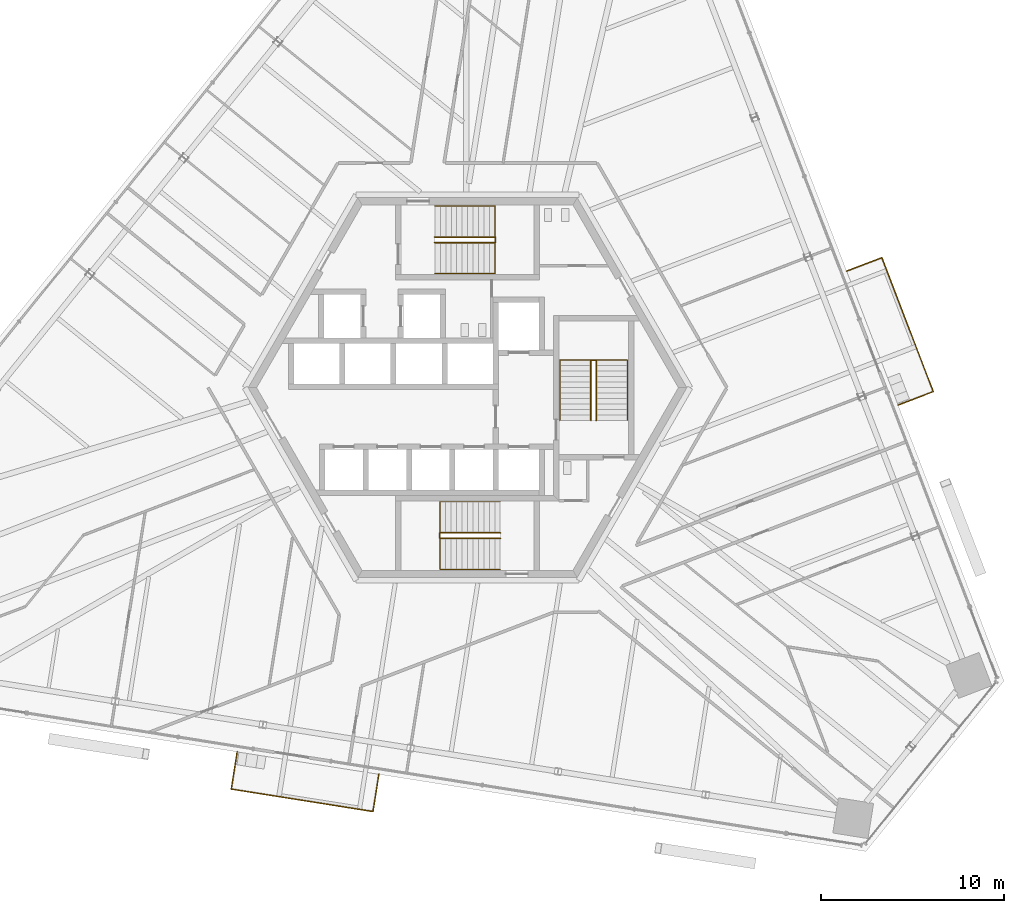
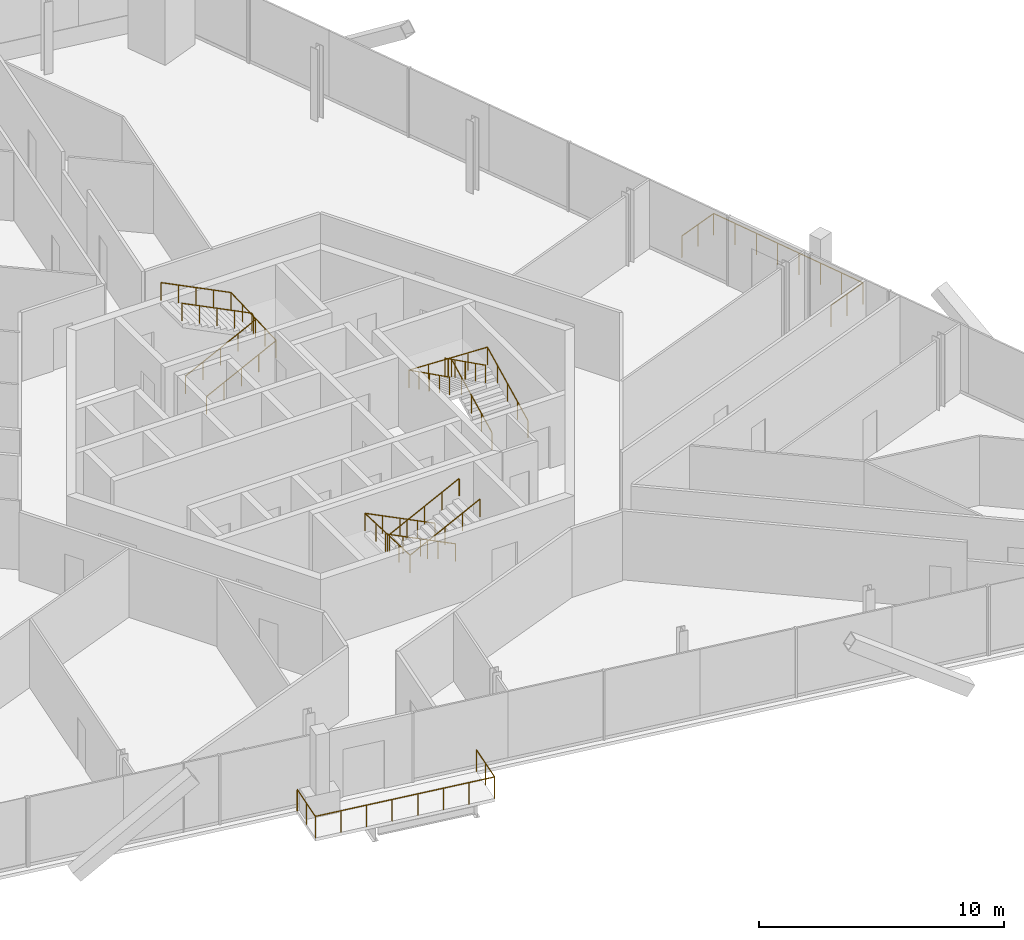
# One storey, part 16 of 19: 8 railings.
"""IFC4 building model written with IfcOpenShell, lengths in metres."""

from ifc_helpers import new_model, si_unit, direction, frame, origin, origin_2d, place, context, subcontext, project, spatial, circle, extrude, source, transform, mapped, material, type_object, element, save


model = new_model("IFC4")

# Units and contexts
model_context = context("Model", 3, precision=1e-05, world=origin(), true_north=direction((0.0, 1.0)))
body_context = subcontext(model_context, "Body", "Model", "MODEL_VIEW")
ifc_project = project(units=[si_unit("LENGTHUNIT", "METRE"), si_unit("AREAUNIT", "SQUARE_METRE"), si_unit("VOLUMEUNIT", "CUBIC_METRE"), si_unit("PLANEANGLEUNIT", "RADIAN"), si_unit("MASSUNIT", "GRAM", prefix="KILO")], contexts=[model_context])

# Site, building, storey
site_placement = place(None, origin())
site = spatial("IfcSite", under=ifc_project, at=site_placement, CompositionType="ELEMENT")
building_placement = place(site_placement, origin())
building = spatial("IfcBuilding", under=site, at=building_placement, Name="Triune Harvest Tower", CompositionType="ELEMENT")
storey_placement = place(building_placement, frame((0.0, 0.0, 142.5)))
storey = spatial("IfcBuildingStorey", under=building, at=storey_placement, Name="L36", CompositionType="ELEMENT", Elevation=142.5)

# Railings
ifc_material_1 = material(Name="Glass", Category="glass")
railing_type_1 = type_object("IfcRailingType", Name="GD-2 balcony guard 1100", PredefinedType="GUARDRAIL", material=ifc_material_1)
railing_1_placement = place(storey_placement, frame((23.556884765625, -0.952880859375, 0.0)))
element("IfcRailing", 1, at=railing_1_placement, inside=storey, type_object=railing_type_1, Name="Balcony guard B4-F1 L36.5", PredefinedType="GUARDRAIL", context=body_context, shape_type="SweptSolid", body=[
    extrude(circle(Radius=0.02392578125, at=origin_2d()), frame((0.0, 0.0, 1.076171875), z_axis=(0.933604848327, 0.358304322023, 0.0), x_axis=(-0.358304322023, 0.933604848327, 0.0)), (0.0, 0.0, 1.0), 2.061279296875),
    extrude(circle(Radius=0.02392578125, at=origin_2d()), frame((1.92431640625, 0.738525390625, 1.076171875), z_axis=(-0.358370618387, 0.93357940202, 0.0), x_axis=(-0.93357940202, -0.358370618387, 0.0)), (0.0, 0.0, 1.0), 7.85205078125),
    extrude(circle(Radius=0.02392578125, at=origin_2d()), frame((-0.8896484375, 8.069091796875, 1.076171875), z_axis=(-0.933604848327, -0.358304322023, 0.0), x_axis=(0.358304322023, -0.933604848327, 0.0)), (0.0, 0.0, 1.0), 2.061279296875),
    extrude(circle(Radius=0.02099609375, at=origin_2d()), origin(), (0.0, 0.0, 1.0), 1.052001953125),
    extrude(circle(Radius=0.02099609375, at=origin_2d()), frame((0.962158203125, 0.369140625, 0.0)), (0.0, 0.0, 1.0), 1.052001953125),
    extrude(circle(Radius=0.02099609375, at=origin_2d()), frame((1.92431640625, 0.738525390625, 0.0)), (0.0, 0.0, 1.0), 1.052001953125),
    extrude(circle(Radius=0.02099609375, at=origin_2d()), frame((1.522216796875, 1.78564453125, 0.0)), (0.0, 0.0, 1.0), 1.052001953125),
    extrude(circle(Radius=0.02099609375, at=origin_2d()), frame((1.120361328125, 2.8330078125, 0.0)), (0.0, 0.0, 1.0), 1.052001953125),
    extrude(circle(Radius=0.02099609375, at=origin_2d()), frame((0.71826171875, 3.880126953125, 0.0)), (0.0, 0.0, 1.0), 1.052001953125),
    extrude(circle(Radius=0.02099609375, at=origin_2d()), frame((0.31640625, 4.927490234375, 0.0)), (0.0, 0.0, 1.0), 1.052001953125),
    extrude(circle(Radius=0.02099609375, at=origin_2d()), frame((-0.085693359375, 5.974609375, 0.0)), (0.0, 0.0, 1.0), 1.052001953125),
    extrude(circle(Radius=0.02099609375, at=origin_2d()), frame((-0.487548828125, 7.02197265625, 0.0)), (0.0, 0.0, 1.0), 1.052001953125),
    extrude(circle(Radius=0.02099609375, at=origin_2d()), frame((-0.8896484375, 8.069091796875, 0.0)), (0.0, 0.0, 1.0), 1.052001953125),
    extrude(circle(Radius=0.02099609375, at=origin_2d()), frame((-1.851806640625, 7.69970703125, 0.0)), (0.0, 0.0, 1.0), 1.052001953125),
    extrude(circle(Radius=0.02099609375, at=origin_2d()), frame((-2.81396484375, 7.33056640625, 0.0)), (0.0, 0.0, 1.0), 1.052001953125),
])
railing_2_placement = place(storey_placement, frame((-12.603759765625, -19.92431640625, 0.0)))
element("IfcRailing", 2, at=railing_2_placement, inside=storey, type_object=railing_type_1, Name="Balcony guard B4-F5 L36.5", PredefinedType="GUARDRAIL", context=body_context, shape_type="SweptSolid", body=[
    extrude(circle(Radius=0.02392578125, at=origin_2d()), frame((0.0, 0.0, 1.076171875), z_axis=(-0.156461288555, -0.987684091794, 0.0), x_axis=(0.987684091794, -0.156461288555, 0.0)), (0.0, 0.0, 1.0), 2.061279296875),
    extrude(circle(Radius=0.02392578125, at=origin_2d()), frame((-0.322509765625, -2.035888671875, 1.076171875), z_axis=(0.987685450951, -0.156452708445, 0.0), x_axis=(0.156452708445, 0.987685450951, 0.0)), (0.0, 0.0, 1.0), 7.852294921875),
    extrude(circle(Radius=0.02392578125, at=origin_2d()), frame((7.43310546875, -3.264404296875, 1.076171875), z_axis=(0.156442987384, 0.987686990751, 0.0), x_axis=(-0.987686990751, 0.156442987384, 0.0)), (0.0, 0.0, 1.0), 2.0615234375),
    extrude(circle(Radius=0.02099609375, at=origin_2d()), origin(), (0.0, 0.0, 1.0), 1.052001953125),
    extrude(circle(Radius=0.02099609375, at=origin_2d()), frame((-0.1611328125, -1.01806640625, 0.0)), (0.0, 0.0, 1.0), 1.052001953125),
    extrude(circle(Radius=0.02099609375, at=origin_2d()), frame((-0.322509765625, -2.035888671875, 0.0)), (0.0, 0.0, 1.0), 1.052001953125),
    extrude(circle(Radius=0.02099609375, at=origin_2d()), frame((0.785400390625, -2.21142578125, 0.0)), (0.0, 0.0, 1.0), 1.052001953125),
    extrude(circle(Radius=0.02099609375, at=origin_2d()), frame((1.893310546875, -2.386962890625, 0.0)), (0.0, 0.0, 1.0), 1.052001953125),
    extrude(circle(Radius=0.02099609375, at=origin_2d()), frame((3.001220703125, -2.5625, 0.0)), (0.0, 0.0, 1.0), 1.052001953125),
    extrude(circle(Radius=0.02099609375, at=origin_2d()), frame((4.109375, -2.73779296875, 0.0)), (0.0, 0.0, 1.0), 1.052001953125),
    extrude(circle(Radius=0.02099609375, at=origin_2d()), frame((5.21728515625, -2.913330078125, 0.0)), (0.0, 0.0, 1.0), 1.052001953125),
    extrude(circle(Radius=0.02099609375, at=origin_2d()), frame((6.3251953125, -3.0888671875, 0.0)), (0.0, 0.0, 1.0), 1.052001953125),
    extrude(circle(Radius=0.02099609375, at=origin_2d()), frame((7.43310546875, -3.264404296875, 0.0)), (0.0, 0.0, 1.0), 1.052001953125),
    extrude(circle(Radius=0.02099609375, at=origin_2d()), frame((7.59423828125, -2.246337890625, 0.0)), (0.0, 0.0, 1.0), 1.052001953125),
    extrude(circle(Radius=0.02099609375, at=origin_2d()), frame((7.755615234375, -1.228271484375, 0.0)), (0.0, 0.0, 1.0), 1.052001953125),
])
ifc_material_2 = material(Name="Stainless steel AISI 316", Category="steel")
railing_type_2 = type_object("IfcRailingType", Name="Stair handrail", PredefinedType="HANDRAIL", material=ifc_material_2)
shared_shape_1 = source(origin(), body_context, "Body", "SweptSolid", [
    extrude(circle(Radius=0.02392578125, at=origin_2d()), frame((0.0, 0.0, 0.8759765625), z_axis=(0.894413956696, 0.0, 0.447240063129), x_axis=(0.0, 1.0, 0.0)), (0.0, 0.0, 1.0), 3.689697265625),
    extrude(circle(Radius=0.02392578125, at=origin_2d()), frame((3.300048828125, 0.0, 2.52587890625), z_axis=(0.0, 0.999180289278, 0.040481471304), x_axis=(-1.0, 0.0, 0.0)), (0.0, 0.0, 1.0), 3.702880859375),
    extrude(circle(Radius=0.02392578125, at=origin_2d()), frame((3.300048828125, 3.699951171875, 2.67578125), z_axis=(-0.894413956696, 0.0, 0.447240063129), x_axis=(0.0, -1.0, 0.0)), (0.0, 0.0, 1.0), 3.689697265625),
    extrude(circle(Radius=0.02099609375, at=origin_2d()), origin(), (0.0, 0.0, 1.0), 0.851806640625),
    extrude(circle(Radius=0.02099609375, at=origin_2d()), frame((0.824951171875, 0.0, 0.41259765625)), (0.0, 0.0, 1.0), 0.851806640625),
    extrude(circle(Radius=0.02099609375, at=origin_2d()), frame((1.64990234375, 0.0, 0.8251953125)), (0.0, 0.0, 1.0), 0.851806640625),
    extrude(circle(Radius=0.02099609375, at=origin_2d()), frame((2.47509765625, 0.0, 1.237548828125)), (0.0, 0.0, 1.0), 0.851806640625),
    extrude(circle(Radius=0.02099609375, at=origin_2d()), frame((3.300048828125, 0.0, 1.650146484375)), (0.0, 0.0, 1.0), 0.851806640625),
    extrude(circle(Radius=0.02099609375, at=origin_2d()), frame((3.300048828125, 0.925048828125, 1.6875)), (0.0, 0.0, 1.0), 0.851806640625),
    extrude(circle(Radius=0.02099609375, at=origin_2d()), frame((3.300048828125, 1.85009765625, 1.72509765625)), (0.0, 0.0, 1.0), 0.851806640625),
    extrude(circle(Radius=0.02099609375, at=origin_2d()), frame((3.300048828125, 2.77490234375, 1.7626953125)), (0.0, 0.0, 1.0), 0.851806640625),
    extrude(circle(Radius=0.02099609375, at=origin_2d()), frame((3.300048828125, 3.699951171875, 1.800048828125)), (0.0, 0.0, 1.0), 0.851806640625),
    extrude(circle(Radius=0.02099609375, at=origin_2d()), frame((2.47509765625, 3.699951171875, 2.212646484375)), (0.0, 0.0, 1.0), 0.851806640625),
    extrude(circle(Radius=0.02099609375, at=origin_2d()), frame((1.64990234375, 3.699951171875, 2.625)), (0.0, 0.0, 1.0), 0.851806640625),
    extrude(circle(Radius=0.02099609375, at=origin_2d()), frame((0.824951171875, 3.699951171875, 3.03759765625)), (0.0, 0.0, 1.0), 0.851806640625),
    extrude(circle(Radius=0.02099609375, at=origin_2d()), frame((0.0, 3.699951171875, 3.4501953125)), (0.0, 0.0, 1.0), 0.851806640625),
])
railing_3_placement = place(storey_placement, frame((-1.7900390625, 6.239990234375, 0.14990234375)))
element("IfcRailing", 3, at=railing_3_placement, inside=storey, type_object=railing_type_2, Name="Exit stair north wall handrail", PredefinedType="HANDRAIL", context=body_context, shape_type="MappedRepresentation", body=[
    mapped(shared_shape_1, transform((0.0, 0.0, 0.0), scale=1.0)),
])
shared_shape_2 = source(origin(), body_context, "Body", "SweptSolid", [
    extrude(circle(Radius=0.02392578125, at=origin_2d()), frame((0.0, 0.0, 0.8759765625), z_axis=(0.894413956696, 0.0, 0.447240063129), x_axis=(0.0, 1.0, 0.0)), (0.0, 0.0, 1.0), 3.689697265625),
    extrude(circle(Radius=0.02392578125, at=origin_2d()), frame((3.300048828125, 0.0, 2.52587890625), z_axis=(0.0, 0.894572720946, 0.446922417137), x_axis=(-1.0, 0.0, 0.0)), (0.0, 0.0, 1.0), 0.33544921875),
    extrude(circle(Radius=0.02392578125, at=origin_2d()), frame((3.300048828125, 0.300048828125, 2.67578125), z_axis=(-0.894413956696, 0.0, 0.447240063129), x_axis=(0.0, -1.0, 0.0)), (0.0, 0.0, 1.0), 3.689697265625),
    extrude(circle(Radius=0.02099609375, at=origin_2d()), origin(), (0.0, 0.0, 1.0), 0.851806640625),
    extrude(circle(Radius=0.02099609375, at=origin_2d()), frame((0.824951171875, 0.0, 0.41259765625)), (0.0, 0.0, 1.0), 0.851806640625),
    extrude(circle(Radius=0.02099609375, at=origin_2d()), frame((1.64990234375, 0.0, 0.8251953125)), (0.0, 0.0, 1.0), 0.851806640625),
    extrude(circle(Radius=0.02099609375, at=origin_2d()), frame((2.47509765625, 0.0, 1.237548828125)), (0.0, 0.0, 1.0), 0.851806640625),
    extrude(circle(Radius=0.02099609375, at=origin_2d()), frame((3.300048828125, 0.0, 1.650146484375)), (0.0, 0.0, 1.0), 0.851806640625),
    extrude(circle(Radius=0.02099609375, at=origin_2d()), frame((3.300048828125, 0.300048828125, 1.800048828125)), (0.0, 0.0, 1.0), 0.851806640625),
    extrude(circle(Radius=0.02099609375, at=origin_2d()), frame((2.47509765625, 0.300048828125, 2.212646484375)), (0.0, 0.0, 1.0), 0.851806640625),
    extrude(circle(Radius=0.02099609375, at=origin_2d()), frame((1.64990234375, 0.300048828125, 2.625)), (0.0, 0.0, 1.0), 0.851806640625),
    extrude(circle(Radius=0.02099609375, at=origin_2d()), frame((0.824951171875, 0.300048828125, 3.03759765625)), (0.0, 0.0, 1.0), 0.851806640625),
    extrude(circle(Radius=0.02099609375, at=origin_2d()), frame((0.0, 0.300048828125, 3.4501953125)), (0.0, 0.0, 1.0), 0.851806640625),
])
railing_4_placement = place(storey_placement, frame((-1.7900390625, 7.93994140625, 0.14990234375)))
element("IfcRailing", 4, at=railing_4_placement, inside=storey, type_object=railing_type_2, Name="Exit stair north centre handrail", PredefinedType="HANDRAIL", context=body_context, shape_type="MappedRepresentation", body=[
    mapped(shared_shape_2, transform((0.0, 0.0, 0.0), scale=1.0)),
])
shared_shape_3 = source(origin(), body_context, "Body", "SweptSolid", [
    extrude(circle(Radius=0.02392578125, at=origin_2d()), frame((0.0, 0.0, 0.8759765625), z_axis=(-0.894413956696, 0.0, 0.447240063129), x_axis=(0.0, -1.0, 0.0)), (0.0, 0.0, 1.0), 3.689697265625),
    extrude(circle(Radius=0.02392578125, at=origin_2d()), frame((-3.300048828125, 0.0, 2.52587890625), z_axis=(0.0, -0.999180289278, 0.040481471304), x_axis=(1.0, 0.0, 0.0)), (0.0, 0.0, 1.0), 3.702880859375),
    extrude(circle(Radius=0.02392578125, at=origin_2d()), frame((-3.300048828125, -3.699951171875, 2.67578125), z_axis=(0.894413956696, 0.0, 0.447240063129), x_axis=(0.0, 1.0, 0.0)), (0.0, 0.0, 1.0), 3.689697265625),
    extrude(circle(Radius=0.02099609375, at=origin_2d()), origin(), (0.0, 0.0, 1.0), 0.851806640625),
    extrude(circle(Radius=0.02099609375, at=origin_2d()), frame((-0.824951171875, 0.0, 0.41259765625)), (0.0, 0.0, 1.0), 0.851806640625),
    extrude(circle(Radius=0.02099609375, at=origin_2d()), frame((-1.64990234375, 0.0, 0.8251953125)), (0.0, 0.0, 1.0), 0.851806640625),
    extrude(circle(Radius=0.02099609375, at=origin_2d()), frame((-2.47509765625, 0.0, 1.237548828125)), (0.0, 0.0, 1.0), 0.851806640625),
    extrude(circle(Radius=0.02099609375, at=origin_2d()), frame((-3.300048828125, 0.0, 1.650146484375)), (0.0, 0.0, 1.0), 0.851806640625),
    extrude(circle(Radius=0.02099609375, at=origin_2d()), frame((-3.300048828125, -0.925048828125, 1.6875)), (0.0, 0.0, 1.0), 0.851806640625),
    extrude(circle(Radius=0.02099609375, at=origin_2d()), frame((-3.300048828125, -1.85009765625, 1.72509765625)), (0.0, 0.0, 1.0), 0.851806640625),
    extrude(circle(Radius=0.02099609375, at=origin_2d()), frame((-3.300048828125, -2.77490234375, 1.7626953125)), (0.0, 0.0, 1.0), 0.851806640625),
    extrude(circle(Radius=0.02099609375, at=origin_2d()), frame((-3.300048828125, -3.699951171875, 1.800048828125)), (0.0, 0.0, 1.0), 0.851806640625),
    extrude(circle(Radius=0.02099609375, at=origin_2d()), frame((-2.47509765625, -3.699951171875, 2.212646484375)), (0.0, 0.0, 1.0), 0.851806640625),
    extrude(circle(Radius=0.02099609375, at=origin_2d()), frame((-1.64990234375, -3.699951171875, 2.625)), (0.0, 0.0, 1.0), 0.851806640625),
    extrude(circle(Radius=0.02099609375, at=origin_2d()), frame((-0.824951171875, -3.699951171875, 3.03759765625)), (0.0, 0.0, 1.0), 0.851806640625),
    extrude(circle(Radius=0.02099609375, at=origin_2d()), frame((0.0, -3.699951171875, 3.4501953125)), (0.0, 0.0, 1.0), 0.851806640625),
])
railing_5_placement = place(storey_placement, frame((1.7900390625, -6.239990234375, 0.14990234375)))
element("IfcRailing", 5, at=railing_5_placement, inside=storey, type_object=railing_type_2, Name="Exit stair south wall handrail", PredefinedType="HANDRAIL", context=body_context, shape_type="MappedRepresentation", body=[
    mapped(shared_shape_3, transform((0.0, 0.0, 0.0), scale=1.0)),
])
shared_shape_4 = source(origin(), body_context, "Body", "SweptSolid", [
    extrude(circle(Radius=0.02392578125, at=origin_2d()), frame((0.0, 0.0, 0.8759765625), z_axis=(-0.894413956696, 0.0, 0.447240063129), x_axis=(0.0, -1.0, 0.0)), (0.0, 0.0, 1.0), 3.689697265625),
    extrude(circle(Radius=0.02392578125, at=origin_2d()), frame((-3.300048828125, 0.0, 2.52587890625), z_axis=(0.0, -0.894572720946, 0.446922417137), x_axis=(1.0, 0.0, 0.0)), (0.0, 0.0, 1.0), 0.33544921875),
    extrude(circle(Radius=0.02392578125, at=origin_2d()), frame((-3.300048828125, -0.300048828125, 2.67578125), z_axis=(0.894413956696, 0.0, 0.447240063129), x_axis=(0.0, 1.0, 0.0)), (0.0, 0.0, 1.0), 3.689697265625),
    extrude(circle(Radius=0.02099609375, at=origin_2d()), origin(), (0.0, 0.0, 1.0), 0.851806640625),
    extrude(circle(Radius=0.02099609375, at=origin_2d()), frame((-0.824951171875, 0.0, 0.41259765625)), (0.0, 0.0, 1.0), 0.851806640625),
    extrude(circle(Radius=0.02099609375, at=origin_2d()), frame((-1.64990234375, 0.0, 0.8251953125)), (0.0, 0.0, 1.0), 0.851806640625),
    extrude(circle(Radius=0.02099609375, at=origin_2d()), frame((-2.47509765625, 0.0, 1.237548828125)), (0.0, 0.0, 1.0), 0.851806640625),
    extrude(circle(Radius=0.02099609375, at=origin_2d()), frame((-3.300048828125, 0.0, 1.650146484375)), (0.0, 0.0, 1.0), 0.851806640625),
    extrude(circle(Radius=0.02099609375, at=origin_2d()), frame((-3.300048828125, -0.300048828125, 1.800048828125)), (0.0, 0.0, 1.0), 0.851806640625),
    extrude(circle(Radius=0.02099609375, at=origin_2d()), frame((-2.47509765625, -0.300048828125, 2.212646484375)), (0.0, 0.0, 1.0), 0.851806640625),
    extrude(circle(Radius=0.02099609375, at=origin_2d()), frame((-1.64990234375, -0.300048828125, 2.625)), (0.0, 0.0, 1.0), 0.851806640625),
    extrude(circle(Radius=0.02099609375, at=origin_2d()), frame((-0.824951171875, -0.300048828125, 3.03759765625)), (0.0, 0.0, 1.0), 0.851806640625),
    extrude(circle(Radius=0.02099609375, at=origin_2d()), frame((0.0, -0.300048828125, 3.4501953125)), (0.0, 0.0, 1.0), 0.851806640625),
])
railing_6_placement = place(storey_placement, frame((1.7900390625, -7.93994140625, 0.14990234375)))
element("IfcRailing", 6, at=railing_6_placement, inside=storey, type_object=railing_type_2, Name="Exit stair south centre handrail", PredefinedType="HANDRAIL", context=body_context, shape_type="MappedRepresentation", body=[
    mapped(shared_shape_4, transform((0.0, 0.0, 0.0), scale=1.0)),
])
shared_shape_5 = source(origin(), body_context, "Body", "SweptSolid", [
    extrude(circle(Radius=0.02392578125, at=origin_2d()), frame((0.0, 0.0, 0.8759765625), z_axis=(0.0, 0.894413956696, 0.447240063129), x_axis=(-1.0, 0.0, 0.0)), (0.0, 0.0, 1.0), 3.689697265625),
    extrude(circle(Radius=0.02392578125, at=origin_2d()), frame((0.0, 3.300048828125, 2.52587890625), z_axis=(-0.999180289278, 0.0, 0.040481471304), x_axis=(0.0, -1.0, 0.0)), (0.0, 0.0, 1.0), 3.702880859375),
    extrude(circle(Radius=0.02392578125, at=origin_2d()), frame((-3.699951171875, 3.300048828125, 2.67578125), z_axis=(0.0, -0.894413956696, 0.447240063129), x_axis=(1.0, 0.0, 0.0)), (0.0, 0.0, 1.0), 3.689697265625),
    extrude(circle(Radius=0.02099609375, at=origin_2d()), origin(), (0.0, 0.0, 1.0), 0.851806640625),
    extrude(circle(Radius=0.02099609375, at=origin_2d()), frame((0.0, 0.824951171875, 0.41259765625)), (0.0, 0.0, 1.0), 0.851806640625),
    extrude(circle(Radius=0.02099609375, at=origin_2d()), frame((0.0, 1.64990234375, 0.8251953125)), (0.0, 0.0, 1.0), 0.851806640625),
    extrude(circle(Radius=0.02099609375, at=origin_2d()), frame((0.0, 2.47509765625, 1.237548828125)), (0.0, 0.0, 1.0), 0.851806640625),
    extrude(circle(Radius=0.02099609375, at=origin_2d()), frame((0.0, 3.300048828125, 1.650146484375)), (0.0, 0.0, 1.0), 0.851806640625),
    extrude(circle(Radius=0.02099609375, at=origin_2d()), frame((-0.925048828125, 3.300048828125, 1.6875)), (0.0, 0.0, 1.0), 0.851806640625),
    extrude(circle(Radius=0.02099609375, at=origin_2d()), frame((-1.85009765625, 3.300048828125, 1.72509765625)), (0.0, 0.0, 1.0), 0.851806640625),
    extrude(circle(Radius=0.02099609375, at=origin_2d()), frame((-2.77490234375, 3.300048828125, 1.7626953125)), (0.0, 0.0, 1.0), 0.851806640625),
    extrude(circle(Radius=0.02099609375, at=origin_2d()), frame((-3.699951171875, 3.300048828125, 1.800048828125)), (0.0, 0.0, 1.0), 0.851806640625),
    extrude(circle(Radius=0.02099609375, at=origin_2d()), frame((-3.699951171875, 2.47509765625, 2.212646484375)), (0.0, 0.0, 1.0), 0.851806640625),
    extrude(circle(Radius=0.02099609375, at=origin_2d()), frame((-3.699951171875, 1.64990234375, 2.625)), (0.0, 0.0, 1.0), 0.851806640625),
    extrude(circle(Radius=0.02099609375, at=origin_2d()), frame((-3.699951171875, 0.824951171875, 3.03759765625)), (0.0, 0.0, 1.0), 0.851806640625),
    extrude(circle(Radius=0.02099609375, at=origin_2d()), frame((-3.699951171875, 0.0, 3.4501953125)), (0.0, 0.0, 1.0), 0.851806640625),
])
railing_7_placement = place(storey_placement, frame((8.75, -1.7900390625, 0.14990234375)))
element("IfcRailing", 7, at=railing_7_placement, inside=storey, type_object=railing_type_2, Name="Exit stair east wall handrail", PredefinedType="HANDRAIL", context=body_context, shape_type="MappedRepresentation", body=[
    mapped(shared_shape_5, transform((0.0, 0.0, 0.0), scale=1.0)),
])
shared_shape_6 = source(origin(), body_context, "Body", "SweptSolid", [
    extrude(circle(Radius=0.02392578125, at=origin_2d()), frame((0.0, 0.0, 0.8759765625), z_axis=(0.0, 0.894413956696, 0.447240063129), x_axis=(-1.0, 0.0, 0.0)), (0.0, 0.0, 1.0), 3.689697265625),
    extrude(circle(Radius=0.02392578125, at=origin_2d()), frame((0.0, 3.300048828125, 2.52587890625), z_axis=(-0.894572720946, 0.0, 0.446922417137), x_axis=(0.0, -1.0, 0.0)), (0.0, 0.0, 1.0), 0.33544921875),
    extrude(circle(Radius=0.02392578125, at=origin_2d()), frame((-0.300048828125, 3.300048828125, 2.67578125), z_axis=(0.0, -0.894413956696, 0.447240063129), x_axis=(1.0, 0.0, 0.0)), (0.0, 0.0, 1.0), 3.689697265625),
    extrude(circle(Radius=0.02099609375, at=origin_2d()), origin(), (0.0, 0.0, 1.0), 0.851806640625),
    extrude(circle(Radius=0.02099609375, at=origin_2d()), frame((0.0, 0.824951171875, 0.41259765625)), (0.0, 0.0, 1.0), 0.851806640625),
    extrude(circle(Radius=0.02099609375, at=origin_2d()), frame((0.0, 1.64990234375, 0.8251953125)), (0.0, 0.0, 1.0), 0.851806640625),
    extrude(circle(Radius=0.02099609375, at=origin_2d()), frame((0.0, 2.47509765625, 1.237548828125)), (0.0, 0.0, 1.0), 0.851806640625),
    extrude(circle(Radius=0.02099609375, at=origin_2d()), frame((0.0, 3.300048828125, 1.650146484375)), (0.0, 0.0, 1.0), 0.851806640625),
    extrude(circle(Radius=0.02099609375, at=origin_2d()), frame((-0.300048828125, 3.300048828125, 1.800048828125)), (0.0, 0.0, 1.0), 0.851806640625),
    extrude(circle(Radius=0.02099609375, at=origin_2d()), frame((-0.300048828125, 2.47509765625, 2.212646484375)), (0.0, 0.0, 1.0), 0.851806640625),
    extrude(circle(Radius=0.02099609375, at=origin_2d()), frame((-0.300048828125, 1.64990234375, 2.625)), (0.0, 0.0, 1.0), 0.851806640625),
    extrude(circle(Radius=0.02099609375, at=origin_2d()), frame((-0.300048828125, 0.824951171875, 3.03759765625)), (0.0, 0.0, 1.0), 0.851806640625),
    extrude(circle(Radius=0.02099609375, at=origin_2d()), frame((-0.300048828125, 0.0, 3.4501953125)), (0.0, 0.0, 1.0), 0.851806640625),
])
railing_8_placement = place(storey_placement, frame((7.050048828125, -1.7900390625, 0.14990234375)))
element("IfcRailing", 8, at=railing_8_placement, inside=storey, type_object=railing_type_2, Name="Exit stair east centre handrail", PredefinedType="HANDRAIL", context=body_context, shape_type="MappedRepresentation", body=[
    mapped(shared_shape_6, transform((0.0, 0.0, 0.0), scale=1.0)),
])

save(model, "model.ifc")
